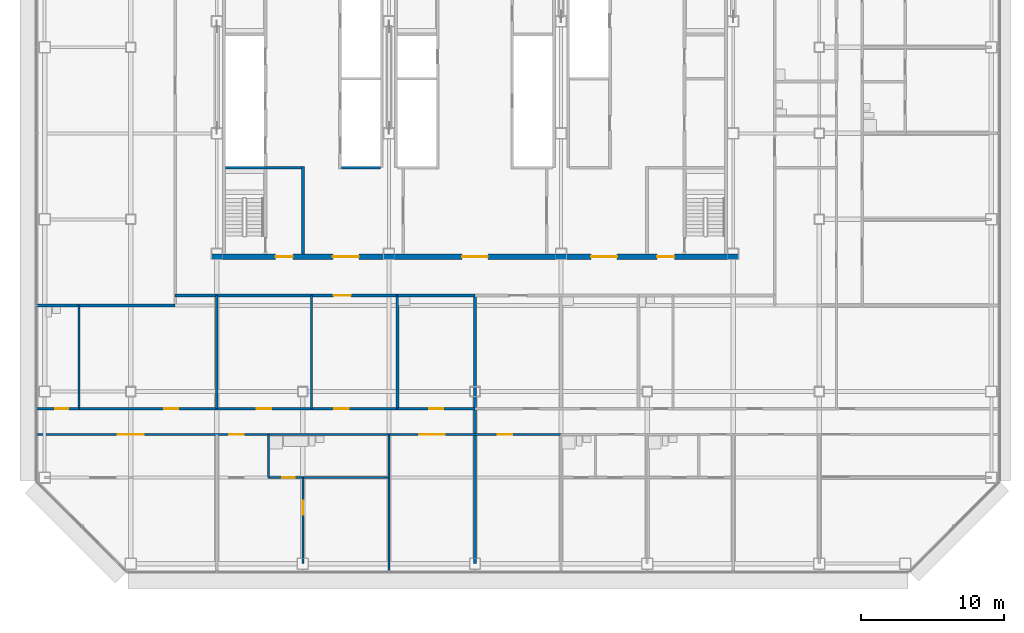
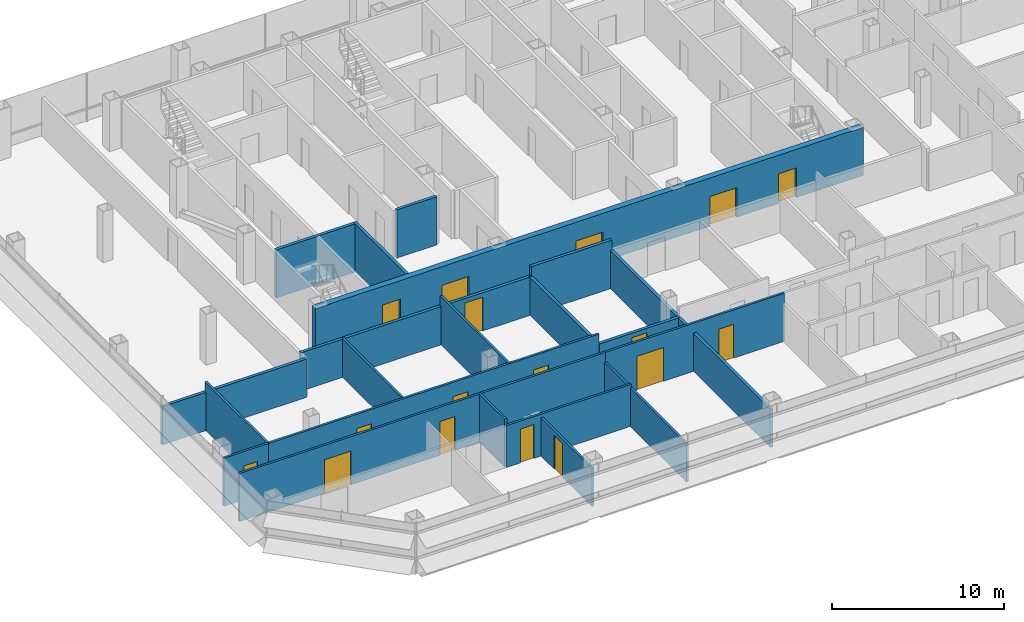
# One storey, part 19 of 25: 24 walls, 17 doors, 17 openings.
"""IFC4 building model written with IfcOpenShell, lengths in metres."""

import ifcopenshell
import ifcopenshell.guid

model = None  # the IFC model being written
_history = None  # IfcOwnerHistory: only IFC2X3 demands one
_inside = {}  # id of a spatial element -> (the spatial element, [elements in it])
_under = {}  # id of a project, library or spatial element -> (it, [spatial elements below it])
_declared = {}  # id of a project -> (the project, [libraries it declares])
_typed = {}  # id of a type object -> (the type object, [elements of that type])
_made_of = {}  # id of a material, layer set ... -> (it, [elements and type objects made of it])


def new_model(schema):
    """Start an empty IFC model of exactly this schema.

    Asked for "IFC4X3", IfcOpenShell would pick the latest addendum, in which some entities
    have other attributes; the version numbers below select the first issue.
    IFC2X3 requires an IfcOwnerHistory on every rooted entity: one is made here for all.
    """
    global model, _history
    if schema == "IFC4X3":
        model = ifcopenshell.file(schema_version=(4, 3, 0, 0))
    else:
        model = ifcopenshell.file(schema=schema)
    _inside.clear()
    _under.clear()
    _declared.clear()
    _typed.clear()
    _made_of.clear()
    _history = None
    if model.schema == "IFC2X3":
        org = make("IfcOrganization", Name="unknown")
        user = make(
            "IfcPersonAndOrganization",
            ThePerson=make("IfcPerson", FamilyName="unknown"),
            TheOrganization=org,
        )
        app = make(
            "IfcApplication",
            ApplicationDeveloper=org,
            Version="unknown",
            ApplicationFullName="unknown",
            ApplicationIdentifier="unknown",
        )
        _history = make(
            "IfcOwnerHistory",
            OwningUser=user,
            OwningApplication=app,
            ChangeAction="ADDED",
            CreationDate=0,
        )
    return model


def make(cls, **values):
    """One entity of the class cls with the attributes given. An attribute that is None is left unset."""
    return model.create_entity(
        cls, **{name: value for name, value in values.items() if value is not None}
    )


def rooted(cls, **values):
    """An entity with a GlobalId (a new one), such as an element, a storey or a relation."""
    return make(cls, GlobalId=ifcopenshell.guid.new(), OwnerHistory=_history, **values)


def si_unit(unit_type, name, prefix=None):
    """IfcSIUnit, for example si_unit("LENGTHUNIT", "METRE", prefix="MILLI")."""
    return make("IfcSIUnit", UnitType=unit_type, Prefix=prefix, Name=name)


def assignment(units):
    """IfcUnitAssignment: the units of a project."""
    return None if units is None else make("IfcUnitAssignment", Units=units)


def point(xyz):
    """IfcCartesianPoint."""
    return None if xyz is None else make("IfcCartesianPoint", Coordinates=xyz)


def direction(xyz):
    """IfcDirection."""
    return None if xyz is None else make("IfcDirection", DirectionRatios=xyz)


def frame(location, z_axis=None, x_axis=None):
    """IfcAxis2Placement3D, a coordinate frame: its origin and axes. An axis left out is left unset."""
    return make(
        "IfcAxis2Placement3D",
        Location=point(location),
        Axis=direction(z_axis),
        RefDirection=direction(x_axis),
    )


def frame_2d(location, x_axis=None):
    """IfcAxis2Placement2D, a coordinate frame in the plane: its origin and x axis."""
    return make(
        "IfcAxis2Placement2D", Location=point(location), RefDirection=direction(x_axis)
    )


def origin():
    """The frame at (0, 0, 0) with its axes left unset."""
    return frame((0.0, 0.0, 0.0))


def place(relative_to, where):
    """IfcLocalPlacement: puts the frame where relative to a parent placement (None: the world)."""
    return make(
        "IfcLocalPlacement", PlacementRelTo=relative_to, RelativePlacement=where
    )


def context(
    kind, dimensions, precision=None, world=None, true_north=None, identifier=None
):
    """IfcGeometricRepresentationContext, for example the 3D "Model" context."""
    return make(
        "IfcGeometricRepresentationContext",
        ContextIdentifier=identifier,
        ContextType=kind,
        CoordinateSpaceDimension=dimensions,
        Precision=precision,
        WorldCoordinateSystem=world,
        TrueNorth=true_north,
    )


def subcontext(parent, identifier, kind, view, scale=None):
    """IfcGeometricRepresentationSubContext, for example "Body" below "Model"."""
    return make(
        "IfcGeometricRepresentationSubContext",
        ContextIdentifier=identifier,
        ContextType=kind,
        ParentContext=parent,
        TargetScale=scale,
        TargetView=view,
    )


def project(units=None, contexts=None):
    """IfcProject with its units and contexts."""
    return rooted(
        "IfcProject",
        Name="project",
        RepresentationContexts=contexts,
        UnitsInContext=assignment(units),
    )


def spatial(cls, under=None, at=None, **own):
    """A site, building, storey or space (cls), placed at a placement, below another one or the project."""
    s = rooted(cls, ObjectPlacement=at, **own)
    if under is not None:
        _under.setdefault(under.id(), (under, []))[1].append(s)
    return s


def profile(cls, at=None, kind="AREA", **sizes):
    """A parametric profile (cls). Its sizes go by their IFC names, for example OverallWidth=200.0."""
    return make(cls, ProfileType=kind, Position=at, **sizes)


def rectangle(**sizes):
    """IfcRectangleProfileDef."""
    return profile("IfcRectangleProfileDef", **sizes)


def extrude(swept, where, along, depth):
    """IfcExtrudedAreaSolid: the profile swept, set in the frame where, extruded along a direction by depth."""
    return make(
        "IfcExtrudedAreaSolid",
        SweptArea=swept,
        Position=where,
        ExtrudedDirection=direction(along),
        Depth=depth,
    )


def shape(context_of_items, identifier, shape_type, items):
    """IfcShapeRepresentation: the items that make up one representation, for example the "Body"."""
    return make(
        "IfcShapeRepresentation",
        ContextOfItems=context_of_items,
        RepresentationIdentifier=identifier,
        RepresentationType=shape_type,
        Items=items,
    )


def material(Name=None, Category=None):
    """IfcMaterial."""
    return make("IfcMaterial", Name=Name, Category=Category)


def layer(
    of_material, thickness, ventilated=None, Name=None, Category=None, Priority=None
):
    """IfcMaterialLayer: one layer of a wall or slab, of a material (None: an air gap)."""
    return make(
        "IfcMaterialLayer",
        Material=of_material,
        LayerThickness=thickness,
        IsVentilated=ventilated,
        Name=Name,
        Category=Category,
        Priority=Priority,
    )


def layer_set(layers, Name=None):
    """IfcMaterialLayerSet."""
    return make("IfcMaterialLayerSet", MaterialLayers=layers, LayerSetName=Name)


def made_of(thing, what):
    """Note that an element or type object is made of a material, layer set ...; save() writes the relation."""
    if what is not None:
        _made_of.setdefault(what.id(), (what, []))[1].append(thing)
    return thing


def type_object(cls, material=None, **own):
    """A type object (cls), such as IfcWallType, which elements share."""
    return made_of(rooted(cls, **own), material)


def element(
    cls,
    number,
    at=None,
    inside=None,
    cuts=None,
    type_object=None,
    material=None,
    context=None,
    identifier="Body",
    shape_type=None,
    held_by="IfcProductDefinitionShape",
    body=None,
    shapes=None,
    **own,
):
    """One element of the class cls, such as IfcWall. Its Tag is "e" and its number.

    at: its placement. inside: the storey or other place that contains it. cuts: it is an
    opening in that element (IfcRelVoidsElement). A single representation is given by context,
    identifier, shape_type and body (its items); several are given by shapes. held_by: the class
    of the entity that holds the representations. save() writes the other relations.
    """
    e = rooted(cls, Tag="e%d" % number, ObjectPlacement=at, **own)
    if body is not None:
        shapes = [shape(context, identifier, shape_type, body)]
    if shapes is not None:
        e.Representation = make(held_by, Representations=shapes)
    if inside is not None:
        _inside.setdefault(inside.id(), (inside, []))[1].append(e)
    if cuts is not None:
        rooted(
            "IfcRelVoidsElement", RelatingBuildingElement=cuts, RelatedOpeningElement=e
        )
    if type_object is not None:
        _typed.setdefault(type_object.id(), (type_object, []))[1].append(e)
    return made_of(e, material)


def fill(opening, filler):
    """IfcRelFillsElement: the door or window that sits in an opening."""
    return rooted(
        "IfcRelFillsElement",
        RelatingOpeningElement=opening,
        RelatedBuildingElement=filler,
    )


def aggregate(whole, parts):
    """IfcRelAggregates: a whole, such as a stair, and the parts it consists of."""
    return rooted("IfcRelAggregates", RelatingObject=whole, RelatedObjects=parts)


def save(model, path):
    """Write the relations noted so far, then the file.

    IfcRelAggregates (storeys below a building ...), IfcRelContainedInSpatialStructure (elements
    in a storey), IfcRelDefinesByType, IfcRelAssociatesMaterial and IfcRelDeclares: one each for
    every whole, place, type object, material and project.
    """
    for whole, parts in _under.values():
        aggregate(whole, parts)
    for where, things in _inside.values():
        rooted(
            "IfcRelContainedInSpatialStructure",
            RelatedElements=things,
            RelatingStructure=where,
        )
    for kind, things in _typed.values():
        rooted("IfcRelDefinesByType", RelatedObjects=things, RelatingType=kind)
    for what, things in _made_of.values():
        rooted("IfcRelAssociatesMaterial", RelatedObjects=things, RelatingMaterial=what)
    for by, libraries in _declared.values():
        rooted("IfcRelDeclares", RelatingContext=by, RelatedDefinitions=libraries)
    model.write(path)


model = new_model("IFC4")

# Units and contexts
model_context = context("Model", 3, precision=1e-05, world=origin(), true_north=direction((0.0, 1.0)))
body_context = subcontext(model_context, "Body", "Model", "MODEL_VIEW")
ifc_project = project(units=[si_unit("LENGTHUNIT", "METRE"), si_unit("AREAUNIT", "SQUARE_METRE"), si_unit("VOLUMEUNIT", "CUBIC_METRE"), si_unit("PLANEANGLEUNIT", "RADIAN"), si_unit("MASSUNIT", "GRAM", prefix="KILO")], contexts=[model_context])

# Site, building, storey
site_placement = place(None, origin())
site = spatial("IfcSite", under=ifc_project, at=site_placement, CompositionType="ELEMENT")
building_placement = place(site_placement, origin())
building = spatial("IfcBuilding", under=site, at=building_placement, Name="Sorahane Residences", CompositionType="ELEMENT")
storey_placement = place(building_placement, frame((0.0, 0.0, 123.199951171875)))
storey = spatial("IfcBuildingStorey", under=building, at=storey_placement, Name="L27", CompositionType="ELEMENT", Elevation=123.199951171875)

# Wall
ifc_material_1 = material(Name="Concrete blockwork C20 wall", Category="masonry")
ifc_layer_1 = layer(ifc_material_1, 0.199951171875)
ifc_layer_set_1 = layer_set([ifc_layer_1], Name="Corridor wall 200 EI 120")
wall_type_1 = type_object("IfcWallType", Name="Corridor wall 200 EI 120", PredefinedType="SOLIDWALL", material=ifc_layer_set_1)
wall_1_placement = place(storey_placement, frame((-6.60009765625, 18.0, 0.0), z_axis=(0.0, 0.0, 1.0), x_axis=(1.0, 0.0, 0.0)))
element("IfcWall", 1, at=wall_1_placement, inside=storey, type_object=wall_type_1, Name="L27 corridor wall", PredefinedType="SOLIDWALL", context=body_context, shape_type="SweptSolid", body=[
    extrude(rectangle(XDim=9.7001953125, YDim=0.199951171875, at=frame_2d((4.85009765625, 0.0))), origin(), (0.0, 0.0, 1.0), 2.719970703125),
])

# Wall, opening, door
wall_2_placement = place(storey_placement, frame((3.10009765625, 18.699951171875, 0.0), z_axis=(0.0, 0.0, 1.0), x_axis=(1.0, 0.0, 0.0)))
wall_2 = element("IfcWall", 2, at=wall_2_placement, inside=storey, type_object=wall_type_1, Name="L27 corridor wall", PredefinedType="SOLIDWALL", context=body_context, shape_type="SweptSolid", body=[
    extrude(rectangle(XDim=15.5, YDim=0.199951171875, at=frame_2d((7.75, 0.0))), origin(), (0.0, 0.0, 1.0), 2.719970703125),
])
opening_1_placement = place(wall_2_placement, frame((11.0400390625, 0.0, 0.0)))
opening_1 = element("IfcOpeningElement", 3, at=opening_1_placement, cuts=wall_2, Name="Opening L27-40", PredefinedType="OPENING", context=body_context, shape_type="SweptSolid", body=[
    extrude(rectangle(XDim=1.199951171875, YDim=2.39990234375, at=frame_2d((0.60009765625, 1.199951171875))), frame((0.0, 0.10986328125, 0.0), z_axis=(0.0, -1.0, 0.0), x_axis=(1.0, 0.0, 0.0)), (0.0, 0.0, 1.0), 0.219970703125),
])
ifc_material_2 = material(Name="Timber veneered fire door", Category="wood")
door_type_1 = type_object("IfcDoorType", Name="Flat entrance door 1200x2400 FD60", OperationType="NOTDEFINED", PredefinedType="DOOR", material=ifc_material_2)
door_1_placement = place(opening_1_placement, frame((1.199951171875, 0.0, 0.0), z_axis=(0.0, 0.0, 1.0), x_axis=(-1.0, 0.0, 0.0)))
door_1 = element("IfcDoor", 4, at=door_1_placement, inside=storey, type_object=door_type_1, Name="Flat entrance door L27-40", OperationType="SINGLE_SWING_RIGHT", OverallHeight=2.39990234375, OverallWidth=1.199951171875, PredefinedType="DOOR", context=body_context, shape_type="SweptSolid", body=[
    extrude(rectangle(XDim=1.199951171875, YDim=2.39990234375, at=frame_2d((0.60009765625, 1.199951171875))), frame((0.0, 0.02490234375, 0.0), z_axis=(0.0, -1.0, 0.0), x_axis=(1.0, 0.0, 0.0)), (0.0, 0.0, 1.0), 0.050048828125),
])
fill(opening_1, door_1)

# Walls
ifc_material_3 = material(Name="Concrete C30", Category="concrete")
ifc_layer_2 = layer(ifc_material_3, 0.199951171875)
ifc_layer_set_2 = layer_set([ifc_layer_2], Name="Front room wall 200 EI 120")
wall_type_2 = type_object("IfcWallType", Name="Front room wall 200 EI 120", PredefinedType="PARTITIONING", material=ifc_layer_set_2)
wall_3_placement = place(storey_placement, frame((12.0, 21.60009765625, 0.0), z_axis=(0.0, 0.0, 1.0), x_axis=(0.0, 1.0, 0.0)))
element("IfcWall", 5, at=wall_3_placement, inside=storey, type_object=wall_type_2, Name="L27 front room wall", PredefinedType="PARTITIONING", context=body_context, shape_type="SweptSolid", body=[
    extrude(rectangle(XDim=6.099853515625, YDim=0.199951171875, at=frame_2d((3.0498046875, 0.0))), origin(), (0.0, 0.0, 1.0), 3.420166015625),
])
ifc_material_4 = material(Name="Concrete blockwork C20 wall", Category="masonry")
ifc_layer_3 = layer(ifc_material_4, 0.199951171875)
ifc_layer_set_3 = layer_set([ifc_layer_3], Name="Kitchen wall 200 EI 180")
wall_type_3 = type_object("IfcWallType", Name="Kitchen wall 200 EI 180", PredefinedType="SOLIDWALL", material=ifc_layer_set_3)
for number, where, z_axis, x_axis, name in (
    (6, (18.60009765625, 10.800048828125, 0.0), (0.0, 0.0, 1.0), (0.0, 1.0, 0.0), "L27 kitchen wall"),
    (7, (24.0, 10.800048828125, 0.0), (0.0, 0.0, 1.0), (0.0, 1.0, 0.0), "L27 kitchen wall"),
):
    element("IfcWall", number, at=place(storey_placement, frame(where, z_axis=z_axis, x_axis=x_axis)), inside=storey, type_object=wall_type_3, Name=name, PredefinedType="SOLIDWALL", context=body_context, shape_type="SweptSolid", body=[
        extrude(rectangle(XDim=7.89990234375, YDim=0.199951171875, at=frame_2d((3.949951171875, 0.0))), origin(), (0.0, 0.0, 1.0), 2.719970703125),
    ])

# Wall, opening, door
wall_4_placement = place(storey_placement, frame((18.60009765625, 10.800048828125, 0.0), z_axis=(0.0, 0.0, 1.0), x_axis=(1.0, 0.0, 0.0)))
wall_4 = element("IfcWall", 8, at=wall_4_placement, inside=storey, type_object=wall_type_3, Name="L27 kitchen wall", PredefinedType="SOLIDWALL", context=body_context, shape_type="SweptSolid", body=[
    extrude(rectangle(XDim=5.39990234375, YDim=0.199951171875, at=frame_2d((2.699951171875, 0.0))), origin(), (0.0, 0.0, 1.0), 2.719970703125),
])
opening_2_placement = place(wall_4_placement, frame((2.199951171875, 0.0, 0.0)))
opening_2 = element("IfcOpeningElement", 9, at=opening_2_placement, cuts=wall_4, Name="Opening L27-05", PredefinedType="OPENING", context=body_context, shape_type="SweptSolid", body=[
    extrude(rectangle(XDim=1.0, YDim=2.39990234375, at=frame_2d((0.5, 1.199951171875))), frame((0.0, 0.10986328125, 0.0), z_axis=(0.0, -1.0, 0.0), x_axis=(1.0, 0.0, 0.0)), (0.0, 0.0, 1.0), 0.219970703125),
])
ifc_material_5 = material(Name="Steel", Category="steel")
door_type_2 = type_object("IfcDoorType", Name="Kitchen door 1000x2400 FD120", OperationType="NOTDEFINED", PredefinedType="DOOR", material=ifc_material_5)
door_2_placement = place(opening_2_placement, origin())
door_2 = element("IfcDoor", 10, at=door_2_placement, inside=storey, type_object=door_type_2, Name="Kitchen door L27-05", OperationType="SINGLE_SWING_LEFT", OverallHeight=2.39990234375, OverallWidth=1.0, PredefinedType="DOOR", context=body_context, shape_type="SweptSolid", body=[
    extrude(rectangle(XDim=1.0, YDim=2.39990234375, at=frame_2d((0.5, 1.199951171875))), frame((0.0, 0.02490234375, 0.0), z_axis=(0.0, -1.0, 0.0), x_axis=(1.0, 0.0, 0.0)), (0.0, 0.0, 1.0), 0.050048828125),
])
fill(opening_2, door_2)

# Walls
wall_5_placement = place(storey_placement, frame((18.60009765625, 18.699951171875, 0.0), z_axis=(0.0, 0.0, 1.0), x_axis=(1.0, 0.0, 0.0)))
element("IfcWall", 11, at=wall_5_placement, inside=storey, type_object=wall_type_3, Name="L27 kitchen wall", PredefinedType="SOLIDWALL", context=body_context, shape_type="SweptSolid", body=[
    extrude(rectangle(XDim=5.39990234375, YDim=0.199951171875, at=frame_2d((2.699951171875, 0.0))), origin(), (0.0, 0.0, 1.0), 3.420166015625),
])
ifc_material_6 = material(Name="Concrete C30", Category="concrete")
ifc_layer_4 = layer(ifc_material_6, 0.199951171875)
ifc_layer_set_4 = layer_set([ifc_layer_4], Name="Lift shaft wall 200 EI 120")
wall_type_4 = type_object("IfcWallType", Name="Lift shaft wall 200 EI 120", PredefinedType="SOLIDWALL", material=ifc_layer_set_4)
wall_6_placement = place(storey_placement, frame((14.699951171875, 27.60009765625, 0.0), z_axis=(0.0, 0.0, 1.0), x_axis=(1.0, 0.0, 0.0)))
element("IfcWall", 12, at=wall_6_placement, inside=storey, type_object=wall_type_4, Name="L27 lift shaft wall", PredefinedType="SOLIDWALL", context=body_context, shape_type="SweptSolid", body=[
    extrude(rectangle(XDim=2.699951171875, YDim=0.199951171875, at=frame_2d((1.35009765625, 0.0))), origin(), (0.0, 0.0, 1.0), 3.420166015625),
])

# Wall, opening, door
ifc_material_7 = material(Name="Gypsum board partition on steel studs", Category="steel")
ifc_layer_5 = layer(ifc_material_7, 0.14990234375)
ifc_layer_set_5 = layer_set([ifc_layer_5], Name="Partition 150 EI 90")
wall_type_5 = type_object("IfcWallType", Name="Partition 150 EI 90", PredefinedType="PARTITIONING", material=ifc_layer_set_5)
wall_7_placement = place(storey_placement, frame((12.0, 0.0, 0.0), z_axis=(0.0, 0.0, 1.0), x_axis=(0.0, 1.0, 0.0)))
wall_7 = element("IfcWall", 13, at=wall_7_placement, inside=storey, type_object=wall_type_5, Name="L27 partition", PredefinedType="PARTITIONING", context=body_context, shape_type="SweptSolid", body=[
    extrude(rectangle(XDim=6.0, YDim=0.14990234375, at=frame_2d((3.0, 0.0))), origin(), (0.0, 0.0, 1.0), 2.719970703125),
])
opening_3_placement = place(wall_7_placement, frame((3.39990234375, 0.0, 0.0)))
opening_3 = element("IfcOpeningElement", 14, at=opening_3_placement, cuts=wall_7, Name="Opening L27-11", PredefinedType="OPENING", context=body_context, shape_type="SweptSolid", body=[
    extrude(rectangle(XDim=1.0, YDim=2.39990234375, at=frame_2d((0.5, 1.199951171875))), frame((0.0, 0.0849609375, 0.0), z_axis=(0.0, -1.0, 0.0), x_axis=(1.0, 0.0, 0.0)), (0.0, 0.0, 1.0), 0.169921875),
])
ifc_material_8 = material(Name="Timber veneered fire door", Category="wood")
door_type_3 = type_object("IfcDoorType", Name="Room door 1000x2400 FD30", OperationType="NOTDEFINED", PredefinedType="DOOR", material=ifc_material_8)
door_3_placement = place(opening_3_placement, frame((1.0, 0.0, 0.0), z_axis=(0.0, 0.0, 1.0), x_axis=(-1.0, 0.0, 0.0)))
door_3 = element("IfcDoor", 15, at=door_3_placement, inside=storey, type_object=door_type_3, Name="Room door L27-11", OperationType="SINGLE_SWING_RIGHT", OverallHeight=2.39990234375, OverallWidth=1.0, PredefinedType="DOOR", context=body_context, shape_type="SweptSolid", body=[
    extrude(rectangle(XDim=1.0, YDim=2.39990234375, at=frame_2d((0.5, 1.199951171875))), frame((0.0, 0.02490234375, 0.0), z_axis=(0.0, -1.0, 0.0), x_axis=(1.0, 0.0, 0.0)), (0.0, 0.0, 1.0), 0.050048828125),
])
fill(opening_3, door_3)

# Walls
wall_8_placement = place(storey_placement, frame((12.60009765625, 10.800048828125, 0.0), z_axis=(0.0, 0.0, 1.0), x_axis=(0.0, 1.0, 0.0)))
element("IfcWall", 16, at=wall_8_placement, inside=storey, type_object=wall_type_5, Name="L27 partition", PredefinedType="PARTITIONING", context=body_context, shape_type="SweptSolid", body=[
    extrude(rectangle(XDim=7.89990234375, YDim=0.14990234375, at=frame_2d((3.949951171875, 0.0))), origin(), (0.0, 0.0, 1.0), 3.420166015625),
])
wall_9_placement = place(storey_placement, frame((18.0, -0.60009765625, 0.0), z_axis=(0.0, 0.0, 1.0), x_axis=(0.0, 1.0, 0.0)))
element("IfcWall", 17, at=wall_9_placement, inside=storey, type_object=wall_type_5, Name="L27 partition", PredefinedType="PARTITIONING", context=body_context, shape_type="SweptSolid", body=[
    extrude(rectangle(XDim=6.60009765625, YDim=0.14990234375, at=frame_2d((3.300048828125, 0.0))), origin(), (0.0, 0.0, 1.0), 2.719970703125),
])
wall_10_placement = place(storey_placement, frame((6.0, 10.800048828125, 0.0), z_axis=(0.0, 0.0, 1.0), x_axis=(0.0, 1.0, 0.0)))
element("IfcWall", 18, at=wall_10_placement, inside=storey, type_object=wall_type_5, Name="L27 partition", PredefinedType="PARTITIONING", context=body_context, shape_type="SweptSolid", body=[
    extrude(rectangle(XDim=7.89990234375, YDim=0.14990234375, at=frame_2d((3.949951171875, 0.0))), origin(), (0.0, 0.0, 1.0), 2.719970703125),
])

# Wall, openings, doors
wall_11_placement = place(storey_placement, frame((-3.60009765625, 10.800048828125, 0.0), z_axis=(0.0, 0.0, 1.0), x_axis=(1.0, 0.0, 0.0)))
wall_11 = element("IfcWall", 19, at=wall_11_placement, inside=storey, type_object=wall_type_5, Name="L27 partition", PredefinedType="PARTITIONING", context=body_context, shape_type="SweptSolid", body=[
    extrude(rectangle(XDim=22.2001953125, YDim=0.14990234375, at=frame_2d((11.10009765625, 0.0))), origin(), (0.0, 0.0, 1.0), 3.420166015625),
])
opening_4_placement = place(wall_11_placement, frame((17.800048828125, 0.0, 0.0)))
opening_4 = element("IfcOpeningElement", 20, at=opening_4_placement, cuts=wall_11, Name="Opening L27-01", PredefinedType="OPENING", context=body_context, shape_type="SweptSolid", body=[
    extrude(rectangle(XDim=1.0, YDim=2.39990234375, at=frame_2d((0.5, 1.199951171875))), frame((0.0, 0.0849609375, 0.0), z_axis=(0.0, -1.0, 0.0), x_axis=(1.0, 0.0, 0.0)), (0.0, 0.0, 1.0), 0.169921875),
])
opening_5_placement = place(wall_11_placement, frame((5.919921875, 0.0, 0.0)))
opening_5 = element("IfcOpeningElement", 21, at=opening_5_placement, cuts=wall_11, Name="Opening L27-03", PredefinedType="OPENING", context=body_context, shape_type="SweptSolid", body=[
    extrude(rectangle(XDim=1.0, YDim=2.39990234375, at=frame_2d((0.5, 1.199951171875))), frame((0.0, 0.0849609375, 0.0), z_axis=(0.0, -1.0, 0.0), x_axis=(1.0, 0.0, 0.0)), (0.0, 0.0, 1.0), 0.169921875),
])
opening_6_placement = place(wall_11_placement, frame((12.39990234375, 0.0, 0.0)))
opening_6 = element("IfcOpeningElement", 22, at=opening_6_placement, cuts=wall_11, Name="Opening L27-04", PredefinedType="OPENING", context=body_context, shape_type="SweptSolid", body=[
    extrude(rectangle(XDim=1.0, YDim=2.39990234375, at=frame_2d((0.5, 1.199951171875))), frame((0.0, 0.0849609375, 0.0), z_axis=(0.0, -1.0, 0.0), x_axis=(1.0, 0.0, 0.0)), (0.0, 0.0, 1.0), 0.169921875),
])
door_4_placement = place(opening_4_placement, frame((1.0, 0.0, 0.0), z_axis=(0.0, 0.0, 1.0), x_axis=(-1.0, 0.0, 0.0)))
door_4 = element("IfcDoor", 23, at=door_4_placement, inside=storey, type_object=door_type_3, Name="Room door L27-01", OperationType="SINGLE_SWING_LEFT", OverallHeight=2.39990234375, OverallWidth=1.0, PredefinedType="DOOR", context=body_context, shape_type="SweptSolid", body=[
    extrude(rectangle(XDim=1.0, YDim=2.39990234375, at=frame_2d((0.5, 1.199951171875))), frame((0.0, 0.02490234375, 0.0), z_axis=(0.0, -1.0, 0.0), x_axis=(1.0, 0.0, 0.0)), (0.0, 0.0, 1.0), 0.050048828125),
])
fill(opening_4, door_4)
door_5_placement = place(opening_5_placement, origin())
door_5 = element("IfcDoor", 24, at=door_5_placement, inside=storey, type_object=door_type_3, Name="Room door L27-03", OperationType="SINGLE_SWING_LEFT", OverallHeight=2.39990234375, OverallWidth=1.0, PredefinedType="DOOR", context=body_context, shape_type="SweptSolid", body=[
    extrude(rectangle(XDim=1.0, YDim=2.39990234375, at=frame_2d((0.5, 1.199951171875))), frame((0.0, 0.02490234375, 0.0), z_axis=(0.0, -1.0, 0.0), x_axis=(1.0, 0.0, 0.0)), (0.0, 0.0, 1.0), 0.050048828125),
])
fill(opening_5, door_5)
door_6_placement = place(opening_6_placement, origin())
door_6 = element("IfcDoor", 25, at=door_6_placement, inside=storey, type_object=door_type_3, Name="Room door L27-04", OperationType="SINGLE_SWING_LEFT", OverallHeight=2.39990234375, OverallWidth=1.0, PredefinedType="DOOR", context=body_context, shape_type="SweptSolid", body=[
    extrude(rectangle(XDim=1.0, YDim=2.39990234375, at=frame_2d((0.5, 1.199951171875))), frame((0.0, 0.02490234375, 0.0), z_axis=(0.0, -1.0, 0.0), x_axis=(1.0, 0.0, 0.0)), (0.0, 0.0, 1.0), 0.050048828125),
])
fill(opening_6, door_6)

wall_12_placement = place(storey_placement, frame((-6.60009765625, 9.0, 0.0), z_axis=(0.0, 0.0, 1.0), x_axis=(1.0, 0.0, 0.0)))
wall_12 = element("IfcWall", 26, at=wall_12_placement, inside=storey, type_object=wall_type_5, Name="L27 partition", PredefinedType="PARTITIONING", context=body_context, shape_type="SweptSolid", body=[
    extrude(rectangle(XDim=16.2001953125, YDim=0.14990234375, at=frame_2d((8.10009765625, 0.0))), origin(), (0.0, 0.0, 1.0), 3.420166015625),
])
opening_7_placement = place(wall_12_placement, frame((5.699951171875, 0.0, 0.0)))
opening_7 = element("IfcOpeningElement", 27, at=opening_7_placement, cuts=wall_12, Name="Opening L27-06", PredefinedType="OPENING", context=body_context, shape_type="SweptSolid", body=[
    extrude(rectangle(XDim=1.800048828125, YDim=2.39990234375, at=frame_2d((0.89990234375, 1.199951171875))), frame((0.0, 0.0849609375, 0.0), z_axis=(0.0, -1.0, 0.0), x_axis=(1.0, 0.0, 0.0)), (0.0, 0.0, 1.0), 0.169921875),
])
opening_8_placement = place(wall_12_placement, frame((13.47998046875, 0.0, 0.0)))
opening_8 = element("IfcOpeningElement", 28, at=opening_8_placement, cuts=wall_12, Name="Opening L27-07", PredefinedType="OPENING", context=body_context, shape_type="SweptSolid", body=[
    extrude(rectangle(XDim=1.0, YDim=2.39990234375, at=frame_2d((0.5, 1.199951171875))), frame((0.0, 0.0849609375, 0.0), z_axis=(0.0, -1.0, 0.0), x_axis=(1.0, 0.0, 0.0)), (0.0, 0.0, 1.0), 0.169921875),
])
ifc_material_9 = material(Name="Timber veneered fire door", Category="wood")
door_type_4 = type_object("IfcDoorType", Name="Double door 1800x2400 FD30", OperationType="NOTDEFINED", PredefinedType="DOOR", material=ifc_material_9)
door_7_placement = place(opening_7_placement, frame((1.800048828125, 0.0, 0.0), z_axis=(0.0, 0.0, 1.0), x_axis=(-1.0, 0.0, 0.0)))
door_7 = element("IfcDoor", 29, at=door_7_placement, inside=storey, type_object=door_type_4, Name="Double door L27-06", OperationType="SINGLE_SWING_LEFT", OverallHeight=2.39990234375, OverallWidth=1.800048828125, PredefinedType="DOOR", context=body_context, shape_type="SweptSolid", body=[
    extrude(rectangle(XDim=1.800048828125, YDim=2.39990234375, at=frame_2d((0.89990234375, 1.199951171875))), frame((0.0, 0.02490234375, 0.0), z_axis=(0.0, -1.0, 0.0), x_axis=(1.0, 0.0, 0.0)), (0.0, 0.0, 1.0), 0.050048828125),
])
fill(opening_7, door_7)
door_8_placement = place(opening_8_placement, frame((1.0, 0.0, 0.0), z_axis=(0.0, 0.0, 1.0), x_axis=(-1.0, 0.0, 0.0)))
door_8 = element("IfcDoor", 30, at=door_8_placement, inside=storey, type_object=door_type_3, Name="Room door L27-07", OperationType="SINGLE_SWING_RIGHT", OverallHeight=2.39990234375, OverallWidth=1.0, PredefinedType="DOOR", context=body_context, shape_type="SweptSolid", body=[
    extrude(rectangle(XDim=1.0, YDim=2.39990234375, at=frame_2d((0.5, 1.199951171875))), frame((0.0, 0.02490234375, 0.0), z_axis=(0.0, -1.0, 0.0), x_axis=(1.0, 0.0, 0.0)), (0.0, 0.0, 1.0), 0.050048828125),
])
fill(opening_8, door_8)

wall_13_placement = place(storey_placement, frame((18.0, 9.0, 0.0), z_axis=(0.0, 0.0, 1.0), x_axis=(1.0, 0.0, 0.0)))
wall_13 = element("IfcWall", 31, at=wall_13_placement, inside=storey, type_object=wall_type_5, Name="L27 partition", PredefinedType="PARTITIONING", context=body_context, shape_type="SweptSolid", body=[
    extrude(rectangle(XDim=12.0, YDim=0.14990234375, at=frame_2d((6.0, 0.0))), origin(), (0.0, 0.0, 1.0), 3.420166015625),
])
opening_9_placement = place(wall_13_placement, frame((2.10009765625, 0.0, 0.0)))
opening_9 = element("IfcOpeningElement", 32, at=opening_9_placement, cuts=wall_13, Name="Opening L27-08", PredefinedType="OPENING", context=body_context, shape_type="SweptSolid", body=[
    extrude(rectangle(XDim=1.800048828125, YDim=2.39990234375, at=frame_2d((0.89990234375, 1.199951171875))), frame((0.0, 0.0849609375, 0.0), z_axis=(0.0, -1.0, 0.0), x_axis=(1.0, 0.0, 0.0)), (0.0, 0.0, 1.0), 0.169921875),
])
opening_10_placement = place(wall_13_placement, frame((7.60009765625, 0.0, 0.0)))
opening_10 = element("IfcOpeningElement", 33, at=opening_10_placement, cuts=wall_13, Name="Opening L27-18", PredefinedType="OPENING", context=body_context, shape_type="SweptSolid", body=[
    extrude(rectangle(XDim=1.0, YDim=2.39990234375, at=frame_2d((0.5, 1.199951171875))), frame((0.0, 0.0849609375, 0.0), z_axis=(0.0, -1.0, 0.0), x_axis=(1.0, 0.0, 0.0)), (0.0, 0.0, 1.0), 0.169921875),
])
door_9_placement = place(opening_9_placement, frame((1.800048828125, 0.0, 0.0), z_axis=(0.0, 0.0, 1.0), x_axis=(-1.0, 0.0, 0.0)))
door_9 = element("IfcDoor", 34, at=door_9_placement, inside=storey, type_object=door_type_4, Name="Double door L27-08", OperationType="SINGLE_SWING_RIGHT", OverallHeight=2.39990234375, OverallWidth=1.800048828125, PredefinedType="DOOR", context=body_context, shape_type="SweptSolid", body=[
    extrude(rectangle(XDim=1.800048828125, YDim=2.39990234375, at=frame_2d((0.89990234375, 1.199951171875))), frame((0.0, 0.02490234375, 0.0), z_axis=(0.0, -1.0, 0.0), x_axis=(1.0, 0.0, 0.0)), (0.0, 0.0, 1.0), 0.050048828125),
])
fill(opening_9, door_9)
door_10_placement = place(opening_10_placement, frame((1.0, 0.0, 0.0), z_axis=(0.0, 0.0, 1.0), x_axis=(-1.0, 0.0, 0.0)))
door_10 = element("IfcDoor", 35, at=door_10_placement, inside=storey, type_object=door_type_3, Name="Room door L27-18", OperationType="SINGLE_SWING_RIGHT", OverallHeight=2.39990234375, OverallWidth=1.0, PredefinedType="DOOR", context=body_context, shape_type="SweptSolid", body=[
    extrude(rectangle(XDim=1.0, YDim=2.39990234375, at=frame_2d((0.5, 1.199951171875))), frame((0.0, 0.02490234375, 0.0), z_axis=(0.0, -1.0, 0.0), x_axis=(1.0, 0.0, 0.0)), (0.0, 0.0, 1.0), 0.050048828125),
])
fill(opening_10, door_10)

# Walls
ifc_material_10 = material(Name="Concrete blockwork C20 wall", Category="masonry")
ifc_layer_6 = layer(ifc_material_10, 0.199951171875)
ifc_layer_set_6 = layer_set([ifc_layer_6], Name="Party wall 200 EI 120")
wall_type_6 = type_object("IfcWallType", Name="Party wall 200 EI 120", PredefinedType="SOLIDWALL", material=ifc_layer_set_6)
wall_14_placement = place(storey_placement, frame((24.0, 0.0, 0.0), z_axis=(0.0, 0.0, 1.0), x_axis=(0.0, 1.0, 0.0)))
element("IfcWall", 36, at=wall_14_placement, inside=storey, type_object=wall_type_6, Name="L27 party wall", PredefinedType="SOLIDWALL", context=body_context, shape_type="SweptSolid", body=[
    extrude(rectangle(XDim=10.800048828125, YDim=0.199951171875, at=frame_2d((5.39990234375, 0.0))), origin(), (0.0, 0.0, 1.0), 2.719970703125),
])
ifc_material_11 = material(Name="Concrete C30", Category="concrete")
ifc_layer_7 = layer(ifc_material_11, 0.199951171875)
ifc_layer_set_7 = layer_set([ifc_layer_7], Name="Stair enclosure wall 200 EI 120")
wall_type_7 = type_object("IfcWallType", Name="Stair enclosure wall 200 EI 120", PredefinedType="SOLIDWALL", material=ifc_layer_set_7)
wall_15_placement = place(storey_placement, frame((6.60009765625, 27.60009765625, 0.0), z_axis=(0.0, 0.0, 1.0), x_axis=(1.0, 0.0, 0.0)))
element("IfcWall", 37, at=wall_15_placement, inside=storey, type_object=wall_type_7, Name="L27 stair enclosure wall", PredefinedType="SOLIDWALL", context=body_context, shape_type="SweptSolid", body=[
    extrude(rectangle(XDim=5.2998046875, YDim=0.199951171875, at=frame_2d((2.64990234375, 0.0))), origin(), (0.0, 0.0, 1.0), 3.420166015625),
])

# Wall, openings, doors
ifc_material_12 = material(Name="Concrete C30", Category="concrete")
ifc_layer_8 = layer(ifc_material_12, 0.39990234375)
ifc_layer_set_8 = layer_set([ifc_layer_8], Name="Waiting hall wall 400 EI 120")
wall_type_8 = type_object("IfcWallType", Name="Waiting hall wall 400 EI 120", PredefinedType="SOLIDWALL", material=ifc_layer_set_8)
wall_16_placement = place(storey_placement, frame((5.60009765625, 21.39990234375, 0.0), z_axis=(0.0, 0.0, 1.0), x_axis=(1.0, 0.0, 0.0)))
wall_16 = element("IfcWall", 38, at=wall_16_placement, inside=storey, type_object=wall_type_8, Name="L27 waiting hall wall", PredefinedType="SOLIDWALL", context=body_context, shape_type="SweptSolid", body=[
    extrude(rectangle(XDim=36.7998046875, YDim=0.39990234375, at=frame_2d((18.39990234375, 0.0))), origin(), (0.0, 0.0, 1.0), 3.420166015625),
])
opening_11_placement = place(wall_16_placement, frame((8.5, 0.0, 0.0)))
opening_11 = element("IfcOpeningElement", 39, at=opening_11_placement, cuts=wall_16, Name="Opening L27-C01", PredefinedType="OPENING", context=body_context, shape_type="SweptSolid", body=[
    extrude(rectangle(XDim=1.800048828125, YDim=2.10009765625, at=frame_2d((0.89990234375, 1.050048828125))), frame((0.0, 0.2099609375, 0.0), z_axis=(0.0, -1.0, 0.0), x_axis=(1.0, 0.0, 0.0)), (0.0, 0.0, 1.0), 0.419921875),
])
opening_12_placement = place(wall_16_placement, frame((17.5, 0.0, 0.0)))
opening_12 = element("IfcOpeningElement", 40, at=opening_12_placement, cuts=wall_16, Name="Opening L27-C03", PredefinedType="OPENING", context=body_context, shape_type="SweptSolid", body=[
    extrude(rectangle(XDim=1.800048828125, YDim=2.10009765625, at=frame_2d((0.89990234375, 1.050048828125))), frame((0.0, 0.2099609375, 0.0), z_axis=(0.0, -1.0, 0.0), x_axis=(1.0, 0.0, 0.0)), (0.0, 0.0, 1.0), 0.419921875),
])
opening_13_placement = place(wall_16_placement, frame((26.5, 0.0, 0.0)))
opening_13 = element("IfcOpeningElement", 41, at=opening_13_placement, cuts=wall_16, Name="Opening L27-C05", PredefinedType="OPENING", context=body_context, shape_type="SweptSolid", body=[
    extrude(rectangle(XDim=1.800048828125, YDim=2.10009765625, at=frame_2d((0.89990234375, 1.050048828125))), frame((0.0, 0.2099609375, 0.0), z_axis=(0.0, -1.0, 0.0), x_axis=(1.0, 0.0, 0.0)), (0.0, 0.0, 1.0), 0.419921875),
])
opening_14_placement = place(wall_16_placement, frame((4.5, 0.0, 0.0)))
opening_14 = element("IfcOpeningElement", 42, at=opening_14_placement, cuts=wall_16, Name="Opening L27-C06", PredefinedType="OPENING", context=body_context, shape_type="SweptSolid", body=[
    extrude(rectangle(XDim=1.199951171875, YDim=2.10009765625, at=frame_2d((0.60009765625, 1.050048828125))), frame((0.0, 0.2099609375, 0.0), z_axis=(0.0, -1.0, 0.0), x_axis=(1.0, 0.0, 0.0)), (0.0, 0.0, 1.0), 0.419921875),
])
opening_15_placement = place(wall_16_placement, frame((31.10009765625, 0.0, 0.0)))
opening_15 = element("IfcOpeningElement", 43, at=opening_15_placement, cuts=wall_16, Name="Opening L27-C07", PredefinedType="OPENING", context=body_context, shape_type="SweptSolid", body=[
    extrude(rectangle(XDim=1.199951171875, YDim=2.10009765625, at=frame_2d((0.60009765625, 1.050048828125))), frame((0.0, 0.2099609375, 0.0), z_axis=(0.0, -1.0, 0.0), x_axis=(1.0, 0.0, 0.0)), (0.0, 0.0, 1.0), 0.419921875),
])
ifc_material_13 = material(Name="Steel", Category="steel")
door_type_5 = type_object("IfcDoorType", Name="Stair front room door 1200x2100 FD120", OperationType="NOTDEFINED", PredefinedType="DOOR", material=ifc_material_13)
door_11_placement = place(opening_14_placement, frame((1.199951171875, 0.0, 0.0), z_axis=(0.0, 0.0, 1.0), x_axis=(-1.0, 0.0, 0.0)))
door_11 = element("IfcDoor", 44, at=door_11_placement, inside=storey, type_object=door_type_5, Name="Stair front room door Stair S4 front room L27", OperationType="SINGLE_SWING_LEFT", OverallHeight=2.10009765625, OverallWidth=1.199951171875, PredefinedType="DOOR", context=body_context, shape_type="SweptSolid", body=[
    extrude(rectangle(XDim=1.199951171875, YDim=2.10009765625, at=frame_2d((0.60009765625, 1.050048828125))), frame((0.0, 0.02490234375, 0.0), z_axis=(0.0, -1.0, 0.0), x_axis=(1.0, 0.0, 0.0)), (0.0, 0.0, 1.0), 0.050048828125),
])
fill(opening_14, door_11)
door_12_placement = place(opening_15_placement, frame((1.199951171875, 0.0, 0.0), z_axis=(0.0, 0.0, 1.0), x_axis=(-1.0, 0.0, 0.0)))
door_12 = element("IfcDoor", 45, at=door_12_placement, inside=storey, type_object=door_type_5, Name="Stair front room door Stair S5 front room L27", OperationType="SINGLE_SWING_LEFT", OverallHeight=2.10009765625, OverallWidth=1.199951171875, PredefinedType="DOOR", context=body_context, shape_type="SweptSolid", body=[
    extrude(rectangle(XDim=1.199951171875, YDim=2.10009765625, at=frame_2d((0.60009765625, 1.050048828125))), frame((0.0, 0.02490234375, 0.0), z_axis=(0.0, -1.0, 0.0), x_axis=(1.0, 0.0, 0.0)), (0.0, 0.0, 1.0), 0.050048828125),
])
fill(opening_15, door_12)
ifc_material_14 = material(Name="Steel", Category="steel")
door_type_6 = type_object("IfcDoorType", Name="Waiting hall door 1800x2100 FD60", OperationType="NOTDEFINED", PredefinedType="DOOR", material=ifc_material_14)
door_13_placement = place(opening_11_placement, frame((1.800048828125, 0.0, 0.0), z_axis=(0.0, 0.0, 1.0), x_axis=(-1.0, 0.0, 0.0)))
door_13 = element("IfcDoor", 46, at=door_13_placement, inside=storey, type_object=door_type_6, Name="Waiting hall door Residents' waiting hall west L27", OperationType="SINGLE_SWING_LEFT", OverallHeight=2.10009765625, OverallWidth=1.800048828125, PredefinedType="DOOR", context=body_context, shape_type="SweptSolid", body=[
    extrude(rectangle(XDim=1.800048828125, YDim=2.10009765625, at=frame_2d((0.89990234375, 1.050048828125))), frame((0.0, 0.02490234375, 0.0), z_axis=(0.0, -1.0, 0.0), x_axis=(1.0, 0.0, 0.0)), (0.0, 0.0, 1.0), 0.050048828125),
])
fill(opening_11, door_13)
door_14_placement = place(opening_12_placement, frame((1.800048828125, 0.0, 0.0), z_axis=(0.0, 0.0, 1.0), x_axis=(-1.0, 0.0, 0.0)))
door_14 = element("IfcDoor", 47, at=door_14_placement, inside=storey, type_object=door_type_6, Name="Waiting hall door Residents' waiting hall centre L27", OperationType="SINGLE_SWING_LEFT", OverallHeight=2.10009765625, OverallWidth=1.800048828125, PredefinedType="DOOR", context=body_context, shape_type="SweptSolid", body=[
    extrude(rectangle(XDim=1.800048828125, YDim=2.10009765625, at=frame_2d((0.89990234375, 1.050048828125))), frame((0.0, 0.02490234375, 0.0), z_axis=(0.0, -1.0, 0.0), x_axis=(1.0, 0.0, 0.0)), (0.0, 0.0, 1.0), 0.050048828125),
])
fill(opening_12, door_14)
door_15_placement = place(opening_13_placement, frame((1.800048828125, 0.0, 0.0), z_axis=(0.0, 0.0, 1.0), x_axis=(-1.0, 0.0, 0.0)))
door_15 = element("IfcDoor", 48, at=door_15_placement, inside=storey, type_object=door_type_6, Name="Waiting hall door Residents' waiting hall east L27", OperationType="SINGLE_SWING_LEFT", OverallHeight=2.10009765625, OverallWidth=1.800048828125, PredefinedType="DOOR", context=body_context, shape_type="SweptSolid", body=[
    extrude(rectangle(XDim=1.800048828125, YDim=2.10009765625, at=frame_2d((0.89990234375, 1.050048828125))), frame((0.0, 0.02490234375, 0.0), z_axis=(0.0, -1.0, 0.0), x_axis=(1.0, 0.0, 0.0)), (0.0, 0.0, 1.0), 0.050048828125),
])
fill(opening_13, door_15)

# Walls
ifc_material_15 = material(Name="Gypsum board partition on steel studs", Category="steel")
ifc_layer_9 = layer(ifc_material_15, 0.14990234375)
ifc_layer_set_9 = layer_set([ifc_layer_9], Name="Wet wall 150 EI 90")
wall_type_9 = type_object("IfcWallType", Name="Wet wall 150 EI 90", PredefinedType="PARTITIONING", material=ifc_layer_set_9)
wall_17_placement = place(storey_placement, frame((-3.60009765625, 10.800048828125, 0.0), z_axis=(0.0, 0.0, 1.0), x_axis=(0.0, 1.0, 0.0)))
element("IfcWall", 49, at=wall_17_placement, inside=storey, type_object=wall_type_9, Name="L27 wet wall", PredefinedType="PARTITIONING", context=body_context, shape_type="SweptSolid", body=[
    extrude(rectangle(XDim=7.199951171875, YDim=0.14990234375, at=frame_2d((3.60009765625, 0.0))), origin(), (0.0, 0.0, 1.0), 3.420166015625),
])
wall_18_placement = place(storey_placement, frame((18.0, 6.0, 0.0), z_axis=(0.0, 0.0, 1.0), x_axis=(0.0, 1.0, 0.0)))
element("IfcWall", 50, at=wall_18_placement, inside=storey, type_object=wall_type_9, Name="L27 wet wall", PredefinedType="PARTITIONING", context=body_context, shape_type="SweptSolid", body=[
    extrude(rectangle(XDim=3.0, YDim=0.14990234375, at=frame_2d((1.5, 0.0))), origin(), (0.0, 0.0, 1.0), 2.719970703125),
])
wall_19_placement = place(storey_placement, frame((9.60009765625, 6.0, 0.0), z_axis=(0.0, 0.0, 1.0), x_axis=(0.0, 1.0, 0.0)))
element("IfcWall", 51, at=wall_19_placement, inside=storey, type_object=wall_type_9, Name="L27 wet wall", PredefinedType="PARTITIONING", context=body_context, shape_type="SweptSolid", body=[
    extrude(rectangle(XDim=3.0, YDim=0.14990234375, at=frame_2d((1.5, 0.0))), origin(), (0.0, 0.0, 1.0), 3.420166015625),
])

# Wall, opening, door
wall_20_placement = place(storey_placement, frame((-6.60009765625, 10.800048828125, 0.0), z_axis=(0.0, 0.0, 1.0), x_axis=(1.0, 0.0, 0.0)))
wall_20 = element("IfcWall", 52, at=wall_20_placement, inside=storey, type_object=wall_type_9, Name="L27 wet wall", PredefinedType="PARTITIONING", context=body_context, shape_type="SweptSolid", body=[
    extrude(rectangle(XDim=3.0, YDim=0.14990234375, at=frame_2d((1.5, 0.0))), origin(), (0.0, 0.0, 1.0), 3.420166015625),
])
opening_16_placement = place(wall_20_placement, frame((1.35009765625, 0.0, 0.0)))
opening_16 = element("IfcOpeningElement", 53, at=opening_16_placement, cuts=wall_20, Name="Opening L27-02", PredefinedType="OPENING", context=body_context, shape_type="SweptSolid", body=[
    extrude(rectangle(XDim=0.89990234375, YDim=2.39990234375, at=frame_2d((0.449951171875, 1.199951171875))), frame((0.0, 0.0849609375, 0.0), z_axis=(0.0, -1.0, 0.0), x_axis=(1.0, 0.0, 0.0)), (0.0, 0.0, 1.0), 0.169921875),
])
ifc_material_16 = material(Name="Timber veneered fire door", Category="wood")
door_type_7 = type_object("IfcDoorType", Name="Bathroom door 900x2400 FD30", OperationType="NOTDEFINED", PredefinedType="DOOR", material=ifc_material_16)
door_16_placement = place(opening_16_placement, frame((0.89990234375, 0.0, 0.0), z_axis=(0.0, 0.0, 1.0), x_axis=(-1.0, 0.0, 0.0)))
door_16 = element("IfcDoor", 54, at=door_16_placement, inside=storey, type_object=door_type_7, Name="Bathroom door L27-02", OperationType="SINGLE_SWING_RIGHT", OverallHeight=2.39990234375, OverallWidth=0.89990234375, PredefinedType="DOOR", context=body_context, shape_type="SweptSolid", body=[
    extrude(rectangle(XDim=0.89990234375, YDim=2.39990234375, at=frame_2d((0.449951171875, 1.199951171875))), frame((0.0, 0.02490234375, 0.0), z_axis=(0.0, -1.0, 0.0), x_axis=(1.0, 0.0, 0.0)), (0.0, 0.0, 1.0), 0.050048828125),
])
fill(opening_16, door_16)

wall_21_placement = place(storey_placement, frame((9.60009765625, 6.0, 0.0), z_axis=(0.0, 0.0, 1.0), x_axis=(1.0, 0.0, 0.0)))
wall_21 = element("IfcWall", 55, at=wall_21_placement, inside=storey, type_object=wall_type_9, Name="L27 wet wall", PredefinedType="PARTITIONING", context=body_context, shape_type="SweptSolid", body=[
    extrude(rectangle(XDim=8.39990234375, YDim=0.14990234375, at=frame_2d((4.199951171875, 0.0))), origin(), (0.0, 0.0, 1.0), 2.969970703125),
])
opening_17_placement = place(wall_21_placement, frame((0.949951171875, 0.0, 0.0)))
opening_17 = element("IfcOpeningElement", 56, at=opening_17_placement, cuts=wall_21, Name="Opening L27-12", PredefinedType="OPENING", context=body_context, shape_type="SweptSolid", body=[
    extrude(rectangle(XDim=0.89990234375, YDim=2.39990234375, at=frame_2d((0.449951171875, 1.199951171875))), frame((0.0, 0.0849609375, 0.0), z_axis=(0.0, -1.0, 0.0), x_axis=(1.0, 0.0, 0.0)), (0.0, 0.0, 1.0), 0.169921875),
])
door_17_placement = place(opening_17_placement, frame((0.89990234375, 0.0, 0.0), z_axis=(0.0, 0.0, 1.0), x_axis=(-1.0, 0.0, 0.0)))
door_17 = element("IfcDoor", 57, at=door_17_placement, inside=storey, type_object=door_type_7, Name="Bathroom door L27-12", OperationType="SINGLE_SWING_RIGHT", OverallHeight=2.39990234375, OverallWidth=0.89990234375, PredefinedType="DOOR", context=body_context, shape_type="SweptSolid", body=[
    extrude(rectangle(XDim=0.89990234375, YDim=2.39990234375, at=frame_2d((0.449951171875, 1.199951171875))), frame((0.0, 0.02490234375, 0.0), z_axis=(0.0, -1.0, 0.0), x_axis=(1.0, 0.0, 0.0)), (0.0, 0.0, 1.0), 0.050048828125),
])
fill(opening_17, door_17)

# Wall
wall_22_placement = place(storey_placement, frame((9.60009765625, 9.0, 0.0), z_axis=(0.0, 0.0, 1.0), x_axis=(1.0, 0.0, 0.0)))
element("IfcWall", 58, at=wall_22_placement, inside=storey, type_object=wall_type_9, Name="L27 wet wall", PredefinedType="PARTITIONING", context=body_context, shape_type="SweptSolid", body=[
    extrude(rectangle(XDim=8.39990234375, YDim=0.14990234375, at=frame_2d((4.199951171875, 0.0))), origin(), (0.0, 0.0, 1.0), 3.420166015625),
])

save(model, "model.ifc")
